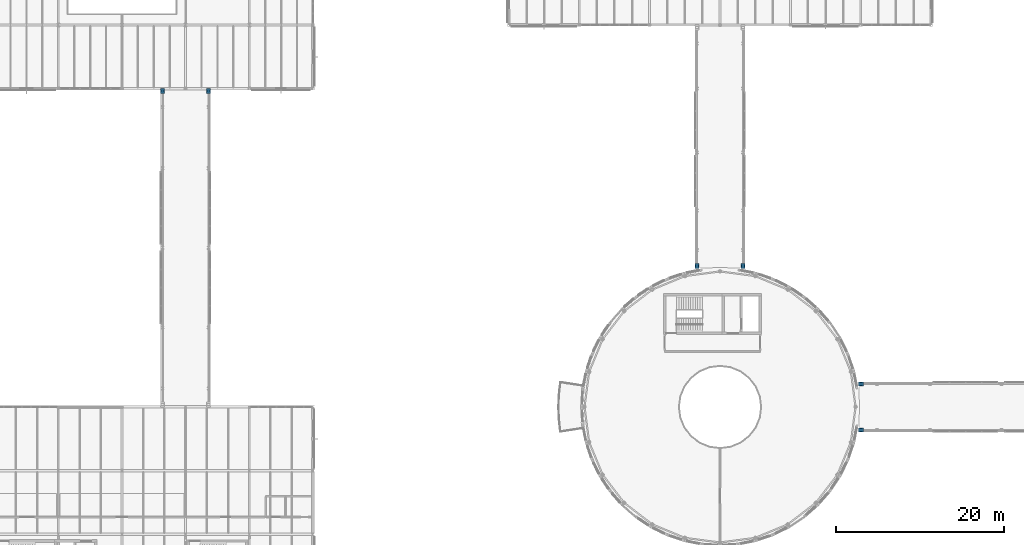
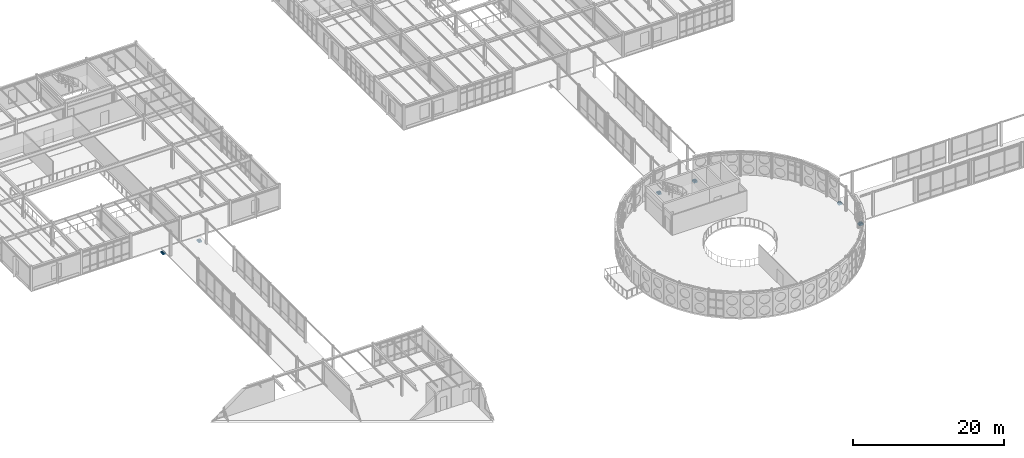
# One storey, part 147 of 165: 12 discrete accessories.
"""IFC4 building model written with IfcOpenShell, lengths in metres."""

from ifc_helpers import new_model, si_unit, direction, frame, origin, origin_2d, place, context, subcontext, project, spatial, rectangle, extrude, material, type_object, element, save


model = new_model("IFC4")

# Units and contexts
model_context = context("Model", 3, precision=1e-05, world=origin(), true_north=direction((0.0, 1.0)))
body_context = subcontext(model_context, "Body", "Model", "MODEL_VIEW")
ifc_project = project(units=[si_unit("LENGTHUNIT", "METRE"), si_unit("AREAUNIT", "SQUARE_METRE"), si_unit("VOLUMEUNIT", "CUBIC_METRE"), si_unit("PLANEANGLEUNIT", "RADIAN"), si_unit("MASSUNIT", "GRAM", prefix="KILO")], contexts=[model_context])

# Site, building, storey
site_placement = place(None, origin())
site = spatial("IfcSite", under=ifc_project, at=site_placement, CompositionType="ELEMENT")
building_placement = place(site_placement, origin())
building = spatial("IfcBuilding", under=site, at=building_placement, Name="Montecoro Central Library", CompositionType="ELEMENT")
storey_placement = place(building_placement, frame((0.0, 0.0, 5.10009765625)))
storey = spatial("IfcBuildingStorey", under=building, at=storey_placement, Name="L01", CompositionType="ELEMENT", Elevation=5.10009765625)

# Discrete accessories
ifc_material_1 = material(Name="Steel S355 and PTFE elastomer", Category="steel")
discrete_accessory_type_1 = type_object("IfcDiscreteAccessoryType", Name="BRG-SLIDE-01", PredefinedType="USERDEFINED", material=ifc_material_1)
for number, where, z_axis, x_axis, name in (
    (1, (88.85009765625, 52.219970703125, -0.545166015625), (0.0, 0.0, 1.0), (1.0, 0.0, 0.0), "BR-N-L01-BRG-WA"),
    (2, (94.35009765625, 52.219970703125, -0.545166015625), (0.0, 0.0, 1.0), (1.0, 0.0, 0.0), "BR-N-L01-BRG-EA"),
):
    element("IfcDiscreteAccessory", number, at=place(storey_placement, frame(where, z_axis=z_axis, x_axis=x_axis)), inside=storey, type_object=discrete_accessory_type_1, Name=name, ObjectType="GUIDED SLIDING BEARING", PredefinedType="USERDEFINED", context=body_context, shape_type="SweptSolid", body=[
        extrude(rectangle(XDim=0.360107421875, YDim=0.239990234375, at=origin_2d()), origin(), (0.0, 0.0, 1.0), 0.1201171875),
    ])
for number, where, z_axis, x_axis, name in (
    (3, (108.419921875, 32.64990234375, -0.545166015625), (0.0, 0.0, 1.0), (1.0, 0.0, 0.0), "BR-SE-L01-BRG-SA"),
    (4, (108.419921875, 38.14990234375, -0.545166015625), (0.0, 0.0, 1.0), (1.0, 0.0, 0.0), "BR-SE-L01-BRG-NA"),
):
    element("IfcDiscreteAccessory", number, at=place(storey_placement, frame(where, z_axis=z_axis, x_axis=x_axis)), inside=storey, type_object=discrete_accessory_type_1, Name=name, ObjectType="GUIDED SLIDING BEARING", PredefinedType="USERDEFINED", context=body_context, shape_type="SweptSolid", body=[
        extrude(rectangle(XDim=0.239990234375, YDim=0.360107421875, at=origin_2d()), origin(), (0.0, 0.0, 1.0), 0.1201171875),
    ])
discrete_accessory_type_2 = type_object("IfcDiscreteAccessoryType", Name="BRG-SLIDE-02", PredefinedType="USERDEFINED", material=ifc_material_1)
for number, where, z_axis, x_axis, name in (
    (5, (25.050048828125, 73.10009765625, -0.545166015625), (0.0, 0.0, 1.0), (1.0, 0.0, 0.0), "BR-W-L01-BRG-WB"),
    (6, (30.550048828125, 73.10009765625, -0.545166015625), (0.0, 0.0, 1.0), (1.0, 0.0, 0.0), "BR-W-L01-BRG-EB"),
):
    element("IfcDiscreteAccessory", number, at=place(storey_placement, frame(where, z_axis=z_axis, x_axis=x_axis)), inside=storey, type_object=discrete_accessory_type_2, Name=name, ObjectType="FREE SLIDING BEARING", PredefinedType="USERDEFINED", context=body_context, shape_type="SweptSolid", body=[
        extrude(rectangle(XDim=0.360107421875, YDim=0.239990234375, at=origin_2d()), origin(), (0.0, 0.0, 1.0), 0.1201171875),
    ])
ifc_material_2 = material(Name="Steel S355", Category="steel")
discrete_accessory_type_3 = type_object("IfcDiscreteAccessoryType", Name="CORBEL-SEAT-600", PredefinedType="BRACKET", material=ifc_material_2)
for number, where, z_axis, x_axis, name in (
    (7, (88.85009765625, 52.219970703125, -0.80517578125), (0.0, 0.0, 1.0), (1.0, 0.0, 0.0), "BR-N-L01-SEAT-WA"),
    (8, (94.35009765625, 52.219970703125, -0.80517578125), (0.0, 0.0, 1.0), (1.0, 0.0, 0.0), "BR-N-L01-SEAT-EA"),
    (9, (25.050048828125, 73.10009765625, -0.80517578125), (0.0, 0.0, 1.0), (1.0, 0.0, 0.0), "BR-W-L01-SEAT-WB"),
    (10, (30.550048828125, 73.10009765625, -0.80517578125), (0.0, 0.0, 1.0), (1.0, 0.0, 0.0), "BR-W-L01-SEAT-EB"),
):
    element("IfcDiscreteAccessory", number, at=place(storey_placement, frame(where, z_axis=z_axis, x_axis=x_axis)), inside=storey, type_object=discrete_accessory_type_3, Name=name, PredefinedType="BRACKET", context=body_context, shape_type="SweptSolid", body=[
        extrude(rectangle(XDim=0.47998046875, YDim=0.60009765625, at=origin_2d()), origin(), (0.0, 0.0, 1.0), 0.260009765625),
    ])
for number, where, z_axis, x_axis, name in (
    (11, (108.419921875, 32.64990234375, -0.80517578125), (0.0, 0.0, 1.0), (1.0, 0.0, 0.0), "BR-SE-L01-SEAT-SA"),
    (12, (108.419921875, 38.14990234375, -0.80517578125), (0.0, 0.0, 1.0), (1.0, 0.0, 0.0), "BR-SE-L01-SEAT-NA"),
):
    element("IfcDiscreteAccessory", number, at=place(storey_placement, frame(where, z_axis=z_axis, x_axis=x_axis)), inside=storey, type_object=discrete_accessory_type_3, Name=name, PredefinedType="BRACKET", context=body_context, shape_type="SweptSolid", body=[
        extrude(rectangle(XDim=0.60009765625, YDim=0.47998046875, at=origin_2d()), origin(), (0.0, 0.0, 1.0), 0.260009765625),
    ])

save(model, "model.ifc")
